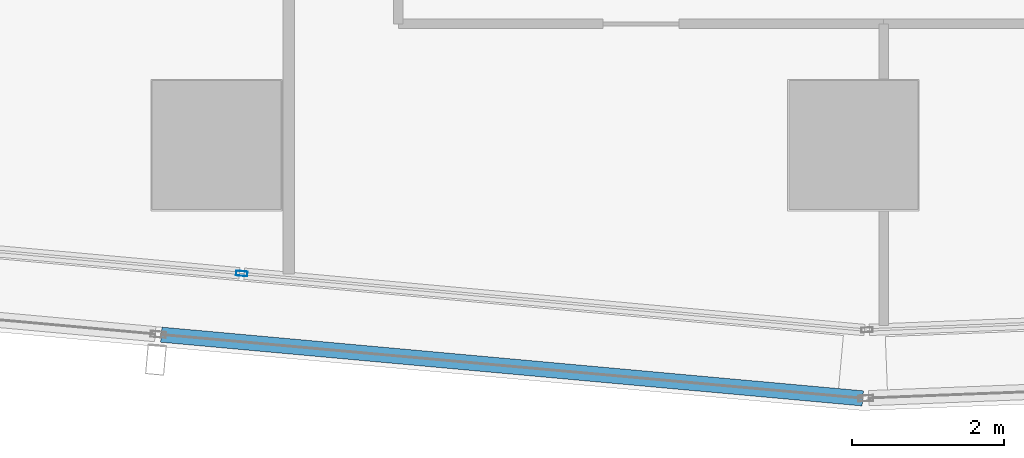
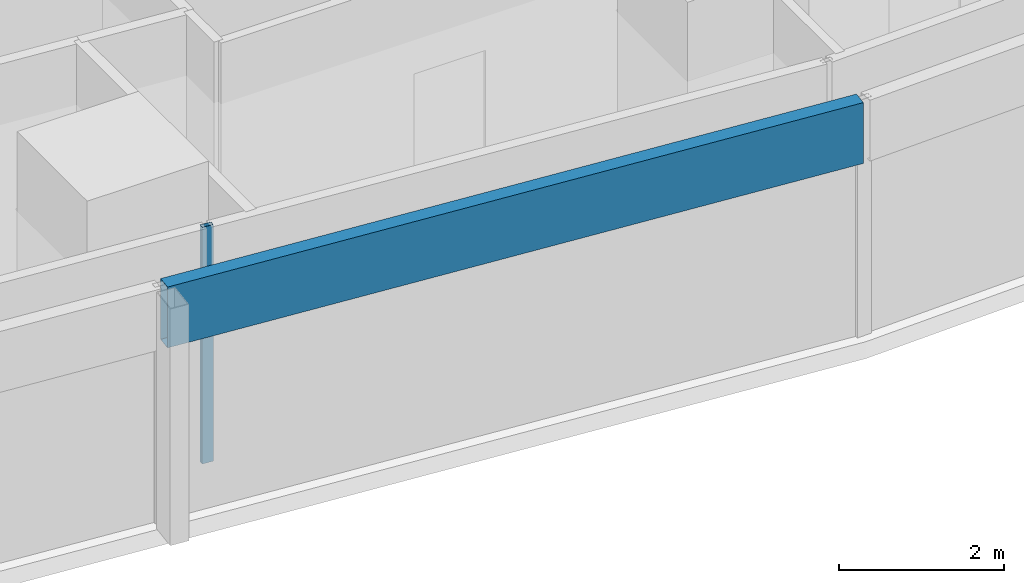
# One storey, part 3 of 40: 2 members, 2 elements without a shape of their own.
"""IFC4 building model written with IfcOpenShell, lengths in metres."""

from ifc_helpers import new_model, si_unit, direction, frame, origin, origin_2d, place, context, subcontext, project, spatial, hollow_rectangle, extrude, material, material_profile, profile_set, type_object, element, aggregate, save


model = new_model("IFC4")

# Units and contexts
model_context = context("Model", 3, precision=1e-05, world=origin(), true_north=direction((0.0, 1.0)))
body_context = subcontext(model_context, "Body", "Model", "MODEL_VIEW")
ifc_project = project(units=[si_unit("LENGTHUNIT", "METRE"), si_unit("AREAUNIT", "SQUARE_METRE"), si_unit("VOLUMEUNIT", "CUBIC_METRE"), si_unit("PLANEANGLEUNIT", "RADIAN"), si_unit("MASSUNIT", "GRAM", prefix="KILO")], contexts=[model_context])

# Site, building, storey
site_placement = place(None, origin())
site = spatial("IfcSite", under=ifc_project, at=site_placement, CompositionType="ELEMENT")
building_placement = place(site_placement, origin())
building = spatial("IfcBuilding", under=site, at=building_placement, Name="Rekha Terrace Tower", CompositionType="ELEMENT")
storey_placement = place(building_placement, frame((0.0, 0.0, 129.050048828125)))
storey = spatial("IfcBuildingStorey", under=building, at=storey_placement, Name="L32", CompositionType="ELEMENT", Elevation=129.050048828125)

# Curtain wall, member
ifc_material_1 = material(Name="Aluminium framing", Category="aluminium")
curtain_wall_type_1 = type_object("IfcCurtainWallType", Name="CW1 double skin inner glazing", PredefinedType="USERDEFINED", material=ifc_material_1)
curtain_wall_1_placement = place(storey_placement, origin())
curtain_wall_1 = element("IfcCurtainWall", 1, at=curtain_wall_1_placement, inside=storey, type_object=curtain_wall_type_1, Name="CW1 double skin inner glazing", ObjectType="DOUBLE SKIN INNER GLAZING", PredefinedType="USERDEFINED")
ifc_material_2 = material(Name="Aluminium mullion section", Category="aluminium")
ifc_material_profile_1 = material_profile(ifc_material_2, hollow_rectangle(XDim=0.06494140625, YDim=0.14990234375, WallThickness=0.00390625, at=origin_2d()), Name="AL RHS 65x150")
ifc_profile_set_1 = profile_set([ifc_material_profile_1], Name="Aluminium mullion section")
member_type_1 = type_object("IfcMemberType", Name="CW1 mullion RHS 65 x 150", PredefinedType="MULLION", material=ifc_profile_set_1)
member_1_placement = place(storey_placement, frame((17.13427734375, 15.107666015625, 0.0), z_axis=(0.0, 0.0, 1.0), x_axis=(0.090439811381, 0.995901923142, 0.0)))
member_1 = element("IfcMember", 2, at=member_1_placement, type_object=member_type_1, Name="CW1 mullion 2", PredefinedType="MULLION", context=body_context, shape_type="SweptSolid", body=[
    extrude(hollow_rectangle(XDim=0.06494140625, YDim=0.14990234375, WallThickness=0.00390625, at=origin_2d()), origin(), (0.0, 0.0, 1.0), 3.5),
])
aggregate(curtain_wall_1, [member_1])

curtain_wall_type_2 = type_object("IfcCurtainWallType", Name="CW2 double skin outer glazing", PredefinedType="USERDEFINED", material=ifc_material_1)
curtain_wall_2_placement = place(storey_placement, origin())
curtain_wall_2 = element("IfcCurtainWall", 3, at=curtain_wall_2_placement, inside=storey, type_object=curtain_wall_type_2, Name="CW2 double skin outer glazing", ObjectType="DOUBLE SKIN OUTER GLAZING", PredefinedType="USERDEFINED")
ifc_material_3 = material(Name="Insulated aluminium spandrel box", Category="aluminium")
ifc_material_profile_2 = material_profile(ifc_material_3, hollow_rectangle(XDim=0.199951171875, YDim=0.89990234375, WallThickness=0.0029296875, at=origin_2d()), Name="AL SPANDREL BOX 200x900")
ifc_profile_set_2 = profile_set([ifc_material_profile_2], Name="Insulated aluminium spandrel box")
member_type_2 = type_object("IfcMemberType", Name="CW2 spandrel transom 200 x 900", PredefinedType="USERDEFINED", material=ifc_profile_set_2)
member_2_placement = place(storey_placement, frame((16.072265625, 14.300537109375, 3.050048828125), z_axis=(0.995900527097, -0.090455182982, 0.0), x_axis=(0.090455182982, 0.995900527097, 0.0)))
member_2 = element("IfcMember", 4, at=member_2_placement, type_object=member_type_2, Name="CW2 spandrel transom 2", ObjectType="TRANSOM", PredefinedType="USERDEFINED", context=body_context, shape_type="SweptSolid", body=[
    extrude(hollow_rectangle(XDim=0.199951171875, YDim=0.89990234375, WallThickness=0.0029296875, at=origin_2d()), origin(), (0.0, 0.0, 1.0), 9.2900390625),
])
aggregate(curtain_wall_2, [member_2])

save(model, "model.ifc")
